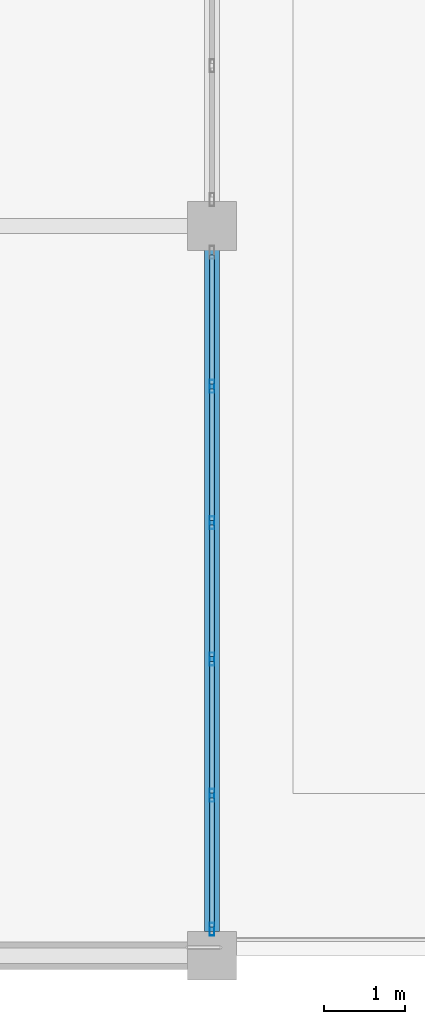
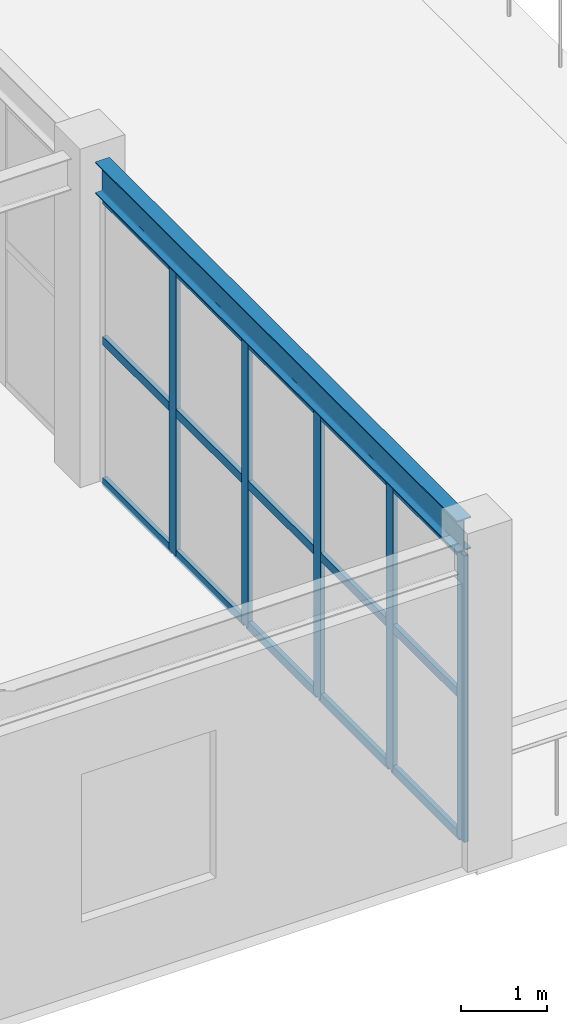
# One storey, part 83 of 167: 20 members, 1 beam, 1 element without a shape of its own.
"""IFC4 building model written with IfcOpenShell, lengths in metres."""

from ifc_helpers import new_model, si_unit, direction, frame, origin, origin_2d, place, context, subcontext, project, spatial, hollow_rectangle, i_section, extrude, material, layer, layer_set, material_profile, profile_set, type_object, element, aggregate, save


model = new_model("IFC4")

# Units and contexts
model_context = context("Model", 3, precision=1e-05, world=origin(), true_north=direction((0.0, 1.0)))
body_context = subcontext(model_context, "Body", "Model", "MODEL_VIEW")
ifc_project = project(units=[si_unit("LENGTHUNIT", "METRE"), si_unit("AREAUNIT", "SQUARE_METRE"), si_unit("VOLUMEUNIT", "CUBIC_METRE"), si_unit("PLANEANGLEUNIT", "RADIAN"), si_unit("MASSUNIT", "GRAM", prefix="KILO")], contexts=[model_context])

# Site, building, storey
site_placement = place(None, origin())
site = spatial("IfcSite", under=ifc_project, at=site_placement, CompositionType="ELEMENT")
building_placement = place(site_placement, origin())
building = spatial("IfcBuilding", under=site, at=building_placement, Name="Dornveld Trade and Exhibition Forum", CompositionType="ELEMENT")
storey_placement = place(building_placement, frame((0.0, 0.0, 16.800048828125)))
storey = spatial("IfcBuildingStorey", under=building, at=storey_placement, Name="L03", CompositionType="ELEMENT", Elevation=16.800048828125)

# Beam
ifc_material_1 = material(Name="Steel S355J2", Category="steel")
ifc_material_profile_1 = material_profile(ifc_material_1, i_section(OverallWidth=0.18994140625, OverallDepth=0.449951171875, WebThickness=0.009521484375, FlangeThickness=0.0146484375, FilletRadius=0.02099609375, at=origin_2d()), Name="IPE 450")
ifc_profile_set_1 = profile_set([ifc_material_profile_1], Name="Steel S355J2")
beam_type = type_object("IfcBeamType", Name="BM-SEC-450", PredefinedType="BEAM", material=ifc_profile_set_1)
beam_placement = place(storey_placement, frame((216.0, 0.2958984375, 4.324951171875), z_axis=(0.0, 1.0, 0.0), x_axis=(-1.0, 0.0, 0.0)))
element("IfcBeam", 1, at=beam_placement, inside=storey, type_object=beam_type, Name="L03 Y-girder 1629", PredefinedType="BEAM", context=body_context, shape_type="SweptSolid", body=[
    extrude(i_section(OverallWidth=0.18994140625, OverallDepth=0.449951171875, WebThickness=0.009521484375, FlangeThickness=0.0146484375, FilletRadius=0.02099609375, at=origin_2d()), origin(), (0.0, 0.0, 1.0), 8.408203125),
])

# Curtain wall, members
ifc_material_2 = material(Name="Dark-bronze anodised aluminium and low-E glass", Category="aluminium")
ifc_layer = layer(ifc_material_2, 0.166015625)
ifc_layer_set = layer_set([ifc_layer], Name="Dark-bronze anodised aluminium and low-E glass")
curtain_wall_type = type_object("IfcCurtainWallType", Name="CW-SYS-08", PredefinedType="USERDEFINED", material=ifc_layer_set)
curtain_wall_placement = place(storey_placement, origin())
curtain_wall = element("IfcCurtainWall", 2, at=curtain_wall_placement, inside=storey, type_object=curtain_wall_type, Name="L03 unitised curtain wall 80", ObjectType="UNITISED_CURTAIN_WALL", PredefinedType="USERDEFINED")
ifc_material_3 = material(Name="Dark-bronze anodised aluminium", Category="aluminium")
ifc_material_profile_2 = material_profile(ifc_material_3, hollow_rectangle(XDim=0.06005859375, YDim=0.159912109375, WallThickness=0.00390625, at=origin_2d()), Name="RHS 160x60x4")
ifc_profile_set_2 = profile_set([ifc_material_profile_2], Name="Dark-bronze anodised aluminium")
member_type_1 = type_object("IfcMemberType", Name="CW-MUL-160", PredefinedType="MULLION", material=ifc_profile_set_2)
member_1_placement = place(storey_placement, frame((216.0, 0.325927734375, -0.004150390625), z_axis=(0.0, 0.0, 1.0), x_axis=(-1.0, 0.0, 0.0)))
member_1 = element("IfcMember", 3, at=member_1_placement, type_object=member_type_1, Name="CW-08 mullion 1", PredefinedType="MULLION", context=body_context, shape_type="SweptSolid", body=[
    extrude(hollow_rectangle(XDim=0.06005859375, YDim=0.159912109375, WallThickness=0.00390625, at=origin_2d()), origin(), (0.0, 0.0, 1.0), 4.064208984375),
])
member_2_placement = place(storey_placement, frame((216.0, 1.9775390625, -0.004150390625), z_axis=(0.0, 0.0, 1.0), x_axis=(-1.0, 0.0, 0.0)))
member_2 = element("IfcMember", 4, at=member_2_placement, type_object=member_type_1, Name="CW-08 mullion 2", PredefinedType="MULLION", context=body_context, shape_type="SweptSolid", body=[
    extrude(hollow_rectangle(XDim=0.06005859375, YDim=0.159912109375, WallThickness=0.00390625, at=origin_2d()), origin(), (0.0, 0.0, 1.0), 4.064208984375),
])
member_3_placement = place(storey_placement, frame((216.0, 3.6591796875, -0.004150390625), z_axis=(0.0, 0.0, 1.0), x_axis=(-1.0, 0.0, 0.0)))
member_3 = element("IfcMember", 5, at=member_3_placement, type_object=member_type_1, Name="CW-08 mullion 3", PredefinedType="MULLION", context=body_context, shape_type="SweptSolid", body=[
    extrude(hollow_rectangle(XDim=0.06005859375, YDim=0.159912109375, WallThickness=0.00390625, at=origin_2d()), origin(), (0.0, 0.0, 1.0), 4.064208984375),
])
member_4_placement = place(storey_placement, frame((216.0, 5.3408203125, -0.004150390625), z_axis=(0.0, 0.0, 1.0), x_axis=(-1.0, 0.0, 0.0)))
member_4 = element("IfcMember", 6, at=member_4_placement, type_object=member_type_1, Name="CW-08 mullion 4", PredefinedType="MULLION", context=body_context, shape_type="SweptSolid", body=[
    extrude(hollow_rectangle(XDim=0.06005859375, YDim=0.159912109375, WallThickness=0.00390625, at=origin_2d()), origin(), (0.0, 0.0, 1.0), 4.064208984375),
])
member_5_placement = place(storey_placement, frame((216.0, 7.0224609375, -0.004150390625), z_axis=(0.0, 0.0, 1.0), x_axis=(-1.0, 0.0, 0.0)))
member_5 = element("IfcMember", 7, at=member_5_placement, type_object=member_type_1, Name="CW-08 mullion 5", PredefinedType="MULLION", context=body_context, shape_type="SweptSolid", body=[
    extrude(hollow_rectangle(XDim=0.06005859375, YDim=0.159912109375, WallThickness=0.00390625, at=origin_2d()), origin(), (0.0, 0.0, 1.0), 4.064208984375),
])
ifc_material_4 = material(Name="Dark-bronze anodised aluminium", Category="aluminium")
ifc_material_profile_3 = material_profile(ifc_material_4, hollow_rectangle(XDim=0.06005859375, YDim=0.1201171875, WallThickness=0.00390625, at=origin_2d()), Name="RHS 120x60x4")
ifc_profile_set_3 = profile_set([ifc_material_profile_3], Name="Dark-bronze anodised aluminium")
member_type_2 = type_object("IfcMemberType", Name="CW-TRN-120", PredefinedType="USERDEFINED", material=ifc_profile_set_3)
member_6_placement = place(storey_placement, frame((216.0, 0.35595703125, 0.02587890625), z_axis=(0.0, 1.0, 0.0), x_axis=(-1.0, 0.0, 0.0)))
member_6 = element("IfcMember", 8, at=member_6_placement, type_object=member_type_2, Name="CW-08 transom 1.1", ObjectType="TRANSOM", PredefinedType="USERDEFINED", context=body_context, shape_type="SweptSolid", body=[
    extrude(hollow_rectangle(XDim=0.06005859375, YDim=0.1201171875, WallThickness=0.00390625, at=origin_2d()), origin(), (0.0, 0.0, 1.0), 1.591552734375),
])
member_7_placement = place(storey_placement, frame((216.0, 0.35595703125, 2.02783203125), z_axis=(0.0, 1.0, 0.0), x_axis=(-1.0, 0.0, 0.0)))
member_7 = element("IfcMember", 9, at=member_7_placement, type_object=member_type_2, Name="CW-08 transom 1.2", ObjectType="TRANSOM", PredefinedType="USERDEFINED", context=body_context, shape_type="SweptSolid", body=[
    extrude(hollow_rectangle(XDim=0.06005859375, YDim=0.1201171875, WallThickness=0.00390625, at=origin_2d()), origin(), (0.0, 0.0, 1.0), 1.591552734375),
])
member_8_placement = place(storey_placement, frame((216.0, 0.35595703125, 4.030029296875), z_axis=(0.0, 1.0, 0.0), x_axis=(-1.0, 0.0, 0.0)))
member_8 = element("IfcMember", 10, at=member_8_placement, type_object=member_type_2, Name="CW-08 transom 1.3", ObjectType="TRANSOM", PredefinedType="USERDEFINED", context=body_context, shape_type="SweptSolid", body=[
    extrude(hollow_rectangle(XDim=0.06005859375, YDim=0.1201171875, WallThickness=0.00390625, at=origin_2d()), origin(), (0.0, 0.0, 1.0), 1.591552734375),
])
member_9_placement = place(storey_placement, frame((216.0, 2.007568359375, 0.02587890625), z_axis=(0.0, 1.0, 0.0), x_axis=(-1.0, 0.0, 0.0)))
member_9 = element("IfcMember", 11, at=member_9_placement, type_object=member_type_2, Name="CW-08 transom 2.1", ObjectType="TRANSOM", PredefinedType="USERDEFINED", context=body_context, shape_type="SweptSolid", body=[
    extrude(hollow_rectangle(XDim=0.06005859375, YDim=0.1201171875, WallThickness=0.00390625, at=origin_2d()), origin(), (0.0, 0.0, 1.0), 1.62158203125),
])
member_10_placement = place(storey_placement, frame((216.0, 2.007568359375, 2.02783203125), z_axis=(0.0, 1.0, 0.0), x_axis=(-1.0, 0.0, 0.0)))
member_10 = element("IfcMember", 12, at=member_10_placement, type_object=member_type_2, Name="CW-08 transom 2.2", ObjectType="TRANSOM", PredefinedType="USERDEFINED", context=body_context, shape_type="SweptSolid", body=[
    extrude(hollow_rectangle(XDim=0.06005859375, YDim=0.1201171875, WallThickness=0.00390625, at=origin_2d()), origin(), (0.0, 0.0, 1.0), 1.62158203125),
])
member_11_placement = place(storey_placement, frame((216.0, 2.007568359375, 4.030029296875), z_axis=(0.0, 1.0, 0.0), x_axis=(-1.0, 0.0, 0.0)))
member_11 = element("IfcMember", 13, at=member_11_placement, type_object=member_type_2, Name="CW-08 transom 2.3", ObjectType="TRANSOM", PredefinedType="USERDEFINED", context=body_context, shape_type="SweptSolid", body=[
    extrude(hollow_rectangle(XDim=0.06005859375, YDim=0.1201171875, WallThickness=0.00390625, at=origin_2d()), origin(), (0.0, 0.0, 1.0), 1.62158203125),
])
member_12_placement = place(storey_placement, frame((216.0, 3.689208984375, 0.02587890625), z_axis=(0.0, 1.0, 0.0), x_axis=(-1.0, 0.0, 0.0)))
member_12 = element("IfcMember", 14, at=member_12_placement, type_object=member_type_2, Name="CW-08 transom 3.1", ObjectType="TRANSOM", PredefinedType="USERDEFINED", context=body_context, shape_type="SweptSolid", body=[
    extrude(hollow_rectangle(XDim=0.06005859375, YDim=0.1201171875, WallThickness=0.00390625, at=origin_2d()), origin(), (0.0, 0.0, 1.0), 1.62158203125),
])
member_13_placement = place(storey_placement, frame((216.0, 3.689208984375, 2.02783203125), z_axis=(0.0, 1.0, 0.0), x_axis=(-1.0, 0.0, 0.0)))
member_13 = element("IfcMember", 15, at=member_13_placement, type_object=member_type_2, Name="CW-08 transom 3.2", ObjectType="TRANSOM", PredefinedType="USERDEFINED", context=body_context, shape_type="SweptSolid", body=[
    extrude(hollow_rectangle(XDim=0.06005859375, YDim=0.1201171875, WallThickness=0.00390625, at=origin_2d()), origin(), (0.0, 0.0, 1.0), 1.62158203125),
])
member_14_placement = place(storey_placement, frame((216.0, 3.689208984375, 4.030029296875), z_axis=(0.0, 1.0, 0.0), x_axis=(-1.0, 0.0, 0.0)))
member_14 = element("IfcMember", 16, at=member_14_placement, type_object=member_type_2, Name="CW-08 transom 3.3", ObjectType="TRANSOM", PredefinedType="USERDEFINED", context=body_context, shape_type="SweptSolid", body=[
    extrude(hollow_rectangle(XDim=0.06005859375, YDim=0.1201171875, WallThickness=0.00390625, at=origin_2d()), origin(), (0.0, 0.0, 1.0), 1.62158203125),
])
member_15_placement = place(storey_placement, frame((216.0, 5.370849609375, 0.02587890625), z_axis=(0.0, 1.0, 0.0), x_axis=(-1.0, 0.0, 0.0)))
member_15 = element("IfcMember", 17, at=member_15_placement, type_object=member_type_2, Name="CW-08 transom 4.1", ObjectType="TRANSOM", PredefinedType="USERDEFINED", context=body_context, shape_type="SweptSolid", body=[
    extrude(hollow_rectangle(XDim=0.06005859375, YDim=0.1201171875, WallThickness=0.00390625, at=origin_2d()), origin(), (0.0, 0.0, 1.0), 1.62158203125),
])
member_16_placement = place(storey_placement, frame((216.0, 5.370849609375, 2.02783203125), z_axis=(0.0, 1.0, 0.0), x_axis=(-1.0, 0.0, 0.0)))
member_16 = element("IfcMember", 18, at=member_16_placement, type_object=member_type_2, Name="CW-08 transom 4.2", ObjectType="TRANSOM", PredefinedType="USERDEFINED", context=body_context, shape_type="SweptSolid", body=[
    extrude(hollow_rectangle(XDim=0.06005859375, YDim=0.1201171875, WallThickness=0.00390625, at=origin_2d()), origin(), (0.0, 0.0, 1.0), 1.62158203125),
])
member_17_placement = place(storey_placement, frame((216.0, 5.370849609375, 4.030029296875), z_axis=(0.0, 1.0, 0.0), x_axis=(-1.0, 0.0, 0.0)))
member_17 = element("IfcMember", 19, at=member_17_placement, type_object=member_type_2, Name="CW-08 transom 4.3", ObjectType="TRANSOM", PredefinedType="USERDEFINED", context=body_context, shape_type="SweptSolid", body=[
    extrude(hollow_rectangle(XDim=0.06005859375, YDim=0.1201171875, WallThickness=0.00390625, at=origin_2d()), origin(), (0.0, 0.0, 1.0), 1.62158203125),
])
member_18_placement = place(storey_placement, frame((216.0, 7.052490234375, 0.02587890625), z_axis=(0.0, 1.0, 0.0), x_axis=(-1.0, 0.0, 0.0)))
member_18 = element("IfcMember", 20, at=member_18_placement, type_object=member_type_2, Name="CW-08 transom 5.1", ObjectType="TRANSOM", PredefinedType="USERDEFINED", context=body_context, shape_type="SweptSolid", body=[
    extrude(hollow_rectangle(XDim=0.06005859375, YDim=0.1201171875, WallThickness=0.00390625, at=origin_2d()), origin(), (0.0, 0.0, 1.0), 1.591552734375),
])
member_19_placement = place(storey_placement, frame((216.0, 7.052490234375, 2.02783203125), z_axis=(0.0, 1.0, 0.0), x_axis=(-1.0, 0.0, 0.0)))
member_19 = element("IfcMember", 21, at=member_19_placement, type_object=member_type_2, Name="CW-08 transom 5.2", ObjectType="TRANSOM", PredefinedType="USERDEFINED", context=body_context, shape_type="SweptSolid", body=[
    extrude(hollow_rectangle(XDim=0.06005859375, YDim=0.1201171875, WallThickness=0.00390625, at=origin_2d()), origin(), (0.0, 0.0, 1.0), 1.591552734375),
])
member_20_placement = place(storey_placement, frame((216.0, 7.052490234375, 4.030029296875), z_axis=(0.0, 1.0, 0.0), x_axis=(-1.0, 0.0, 0.0)))
member_20 = element("IfcMember", 22, at=member_20_placement, type_object=member_type_2, Name="CW-08 transom 5.3", ObjectType="TRANSOM", PredefinedType="USERDEFINED", context=body_context, shape_type="SweptSolid", body=[
    extrude(hollow_rectangle(XDim=0.06005859375, YDim=0.1201171875, WallThickness=0.00390625, at=origin_2d()), origin(), (0.0, 0.0, 1.0), 1.591552734375),
])
aggregate(curtain_wall, [member_1, member_2, member_3, member_4, member_5, member_6, member_7, member_8, member_9, member_10, member_11, member_12, member_13, member_14, member_15, member_16, member_17, member_18, member_19, member_20])

save(model, "model.ifc")
